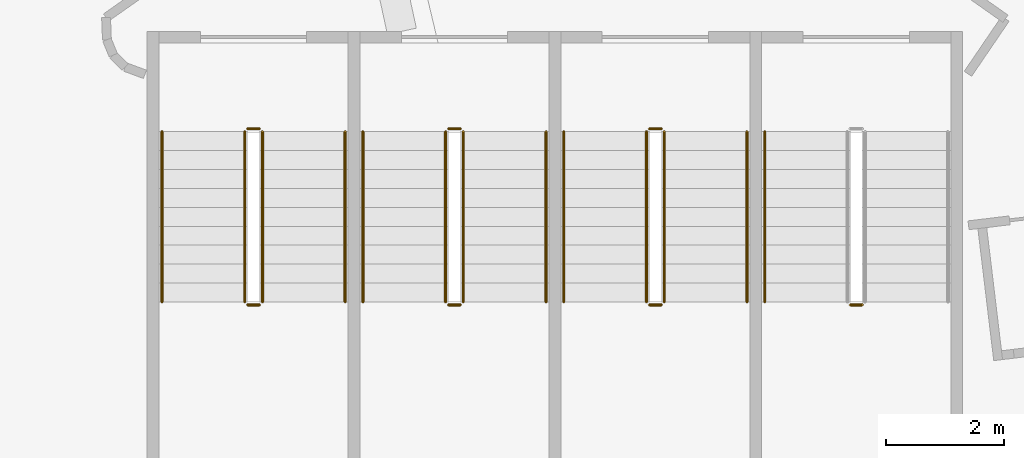
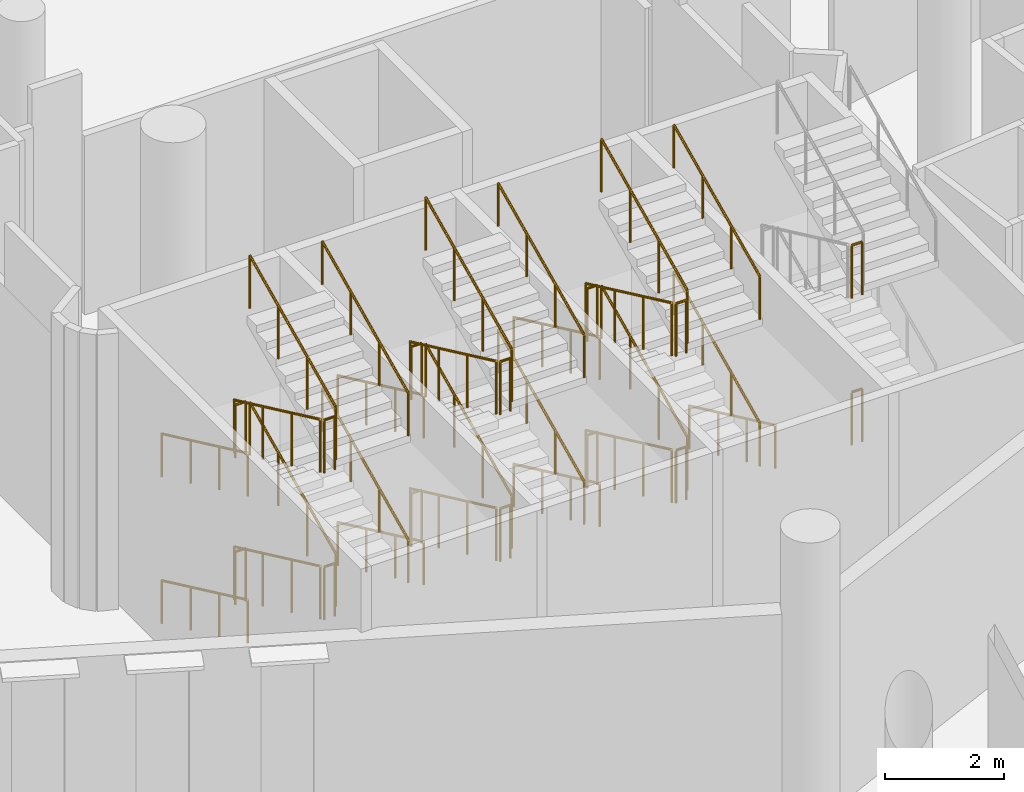
# One storey, part 215 of 249: 39 railings.
"""IFC4 building model written with IfcOpenShell, lengths in metres."""

from ifc_helpers import new_model, si_unit, direction, frame, origin, origin_2d, place, context, subcontext, project, spatial, circle, extrude, material, type_object, element, save


model = new_model("IFC4")

# Units and contexts
model_context = context("Model", 3, precision=1e-05, world=origin(), true_north=direction((0.0, 1.0)))
body_context = subcontext(model_context, "Body", "Model", "MODEL_VIEW")
ifc_project = project(units=[si_unit("LENGTHUNIT", "METRE"), si_unit("AREAUNIT", "SQUARE_METRE"), si_unit("VOLUMEUNIT", "CUBIC_METRE"), si_unit("PLANEANGLEUNIT", "RADIAN"), si_unit("MASSUNIT", "GRAM", prefix="KILO")], contexts=[model_context])

# Site, building, storey
site_placement = place(None, origin())
site = spatial("IfcSite", under=ifc_project, at=site_placement, CompositionType="ELEMENT")
building_placement = place(site_placement, origin())
building = spatial("IfcBuilding", under=site, at=building_placement, Name="Meseta Stadium", CompositionType="ELEMENT")
storey_placement = place(building_placement, frame((0.0, 0.0, 12.0)))
storey = spatial("IfcBuildingStorey", under=building, at=storey_placement, Name="L02", CompositionType="ELEMENT", Elevation=12.0)

# Railings
ifc_material_1 = material(Name="Steel S355", Category="steel")
railing_type_1 = type_object("IfcRailingType", Name="Stair guard 1100", PredefinedType="GUARDRAIL", material=ifc_material_1)
railing_1_placement = place(storey_placement, frame((17.75, -95.199951171875, 0.14990234375)))
element("IfcRailing", 1, at=railing_1_placement, inside=storey, type_object=railing_type_1, Name="ST97 L02 guard 1", PredefinedType="GUARDRAIL", context=body_context, shape_type="SweptSolid", body=[
    extrude(circle(Radius=0.02392578125, at=origin_2d()), frame((0.0, 0.0, 1.076171875), z_axis=(0.0, -0.905454327043, 0.424443708447), x_axis=(1.0, 0.0, 0.0)), (0.0, 0.0, 1.0), 3.180908203125),
    extrude(circle(Radius=0.02099609375, at=origin_2d()), origin(), (0.0, 0.0, 1.0), 1.052001953125),
    extrude(circle(Radius=0.02099609375, at=origin_2d()), frame((0.0, -0.9599609375, 0.449951171875)), (0.0, 0.0, 1.0), 1.052001953125),
    extrude(circle(Radius=0.02099609375, at=origin_2d()), frame((0.0, -1.920166015625, 0.900146484375)), (0.0, 0.0, 1.0), 1.052001953125),
    extrude(circle(Radius=0.02099609375, at=origin_2d()), frame((0.0, -2.880126953125, 1.35009765625)), (0.0, 0.0, 1.0), 1.052001953125),
])
railing_2_placement = place(storey_placement, frame((17.800048828125, -98.1298828125, 1.5)))
element("IfcRailing", 2, at=railing_2_placement, inside=storey, type_object=railing_type_1, Name="ST97 L02 guard 2", PredefinedType="GUARDRAIL", context=body_context, shape_type="SweptSolid", body=[
    extrude(circle(Radius=0.02392578125, at=origin_2d()), frame((0.0, 0.0, 1.076171875), z_axis=(1.0, 0.0, 0.0), x_axis=(0.0, 1.0, 0.0)), (0.0, 0.0, 1.0), 0.199951171875),
    extrude(circle(Radius=0.02099609375, at=origin_2d()), origin(), (0.0, 0.0, 1.0), 1.052001953125),
    extrude(circle(Radius=0.02099609375, at=origin_2d()), frame((0.199951171875, 0.0, 0.0)), (0.0, 0.0, 1.0), 1.052001953125),
])
railing_3_placement = place(storey_placement, frame((18.050048828125, -98.080078125, 1.64990234375)))
element("IfcRailing", 3, at=railing_3_placement, inside=storey, type_object=railing_type_1, Name="ST97 L02 guard 3", PredefinedType="GUARDRAIL", context=body_context, shape_type="SweptSolid", body=[
    extrude(circle(Radius=0.02392578125, at=origin_2d()), frame((0.0, 0.0, 1.076171875), z_axis=(0.0, 0.905454327043, 0.424443708447), x_axis=(-1.0, 0.0, 0.0)), (0.0, 0.0, 1.0), 3.180908203125),
    extrude(circle(Radius=0.02099609375, at=origin_2d()), origin(), (0.0, 0.0, 1.0), 1.052001953125),
    extrude(circle(Radius=0.02099609375, at=origin_2d()), frame((0.0, 0.9599609375, 0.449951171875)), (0.0, 0.0, 1.0), 1.052001953125),
    extrude(circle(Radius=0.02099609375, at=origin_2d()), frame((0.0, 1.920166015625, 0.900146484375)), (0.0, 0.0, 1.0), 1.052001953125),
    extrude(circle(Radius=0.02099609375, at=origin_2d()), frame((0.0, 2.880126953125, 1.35009765625)), (0.0, 0.0, 1.0), 1.052001953125),
])
railing_4_placement = place(storey_placement, frame((17.800048828125, -95.14990234375, 3.0)))
element("IfcRailing", 4, at=railing_4_placement, inside=storey, type_object=railing_type_1, Name="ST97 L02 guard 4", PredefinedType="GUARDRAIL", context=body_context, shape_type="SweptSolid", body=[
    extrude(circle(Radius=0.02392578125, at=origin_2d()), frame((0.0, 0.0, 1.076171875), z_axis=(1.0, 0.0, 0.0), x_axis=(0.0, 1.0, 0.0)), (0.0, 0.0, 1.0), 0.199951171875),
    extrude(circle(Radius=0.02099609375, at=origin_2d()), origin(), (0.0, 0.0, 1.0), 1.052001953125),
    extrude(circle(Radius=0.02099609375, at=origin_2d()), frame((0.199951171875, 0.0, 0.0)), (0.0, 0.0, 1.0), 1.052001953125),
])
railing_5_placement = place(storey_placement, frame((17.75, -95.199951171875, 3.14990234375)))
element("IfcRailing", 5, at=railing_5_placement, inside=storey, type_object=railing_type_1, Name="ST97 L02 guard 5", PredefinedType="GUARDRAIL", context=body_context, shape_type="SweptSolid", body=[
    extrude(circle(Radius=0.02392578125, at=origin_2d()), frame((0.0, 0.0, 1.076171875), z_axis=(0.0, -0.905454327043, 0.424443708447), x_axis=(1.0, 0.0, 0.0)), (0.0, 0.0, 1.0), 3.180908203125),
    extrude(circle(Radius=0.02099609375, at=origin_2d()), origin(), (0.0, 0.0, 1.0), 1.052001953125),
    extrude(circle(Radius=0.02099609375, at=origin_2d()), frame((0.0, -0.9599609375, 0.449951171875)), (0.0, 0.0, 1.0), 1.052001953125),
    extrude(circle(Radius=0.02099609375, at=origin_2d()), frame((0.0, -1.920166015625, 0.900146484375)), (0.0, 0.0, 1.0), 1.052001953125),
    extrude(circle(Radius=0.02099609375, at=origin_2d()), frame((0.0, -2.880126953125, 1.35009765625)), (0.0, 0.0, 1.0), 1.052001953125),
])
railing_6_placement = place(storey_placement, frame((17.800048828125, -98.1298828125, 4.5)))
element("IfcRailing", 6, at=railing_6_placement, inside=storey, type_object=railing_type_1, Name="ST97 L02 guard 6", PredefinedType="GUARDRAIL", context=body_context, shape_type="SweptSolid", body=[
    extrude(circle(Radius=0.02392578125, at=origin_2d()), frame((0.0, 0.0, 1.076171875), z_axis=(1.0, 0.0, 0.0), x_axis=(0.0, 1.0, 0.0)), (0.0, 0.0, 1.0), 0.199951171875),
    extrude(circle(Radius=0.02099609375, at=origin_2d()), origin(), (0.0, 0.0, 1.0), 1.052001953125),
    extrude(circle(Radius=0.02099609375, at=origin_2d()), frame((0.199951171875, 0.0, 0.0)), (0.0, 0.0, 1.0), 1.052001953125),
])
railing_7_placement = place(storey_placement, frame((18.050048828125, -98.080078125, 4.64990234375)))
element("IfcRailing", 7, at=railing_7_placement, inside=storey, type_object=railing_type_1, Name="ST97 L02 guard 7", PredefinedType="GUARDRAIL", context=body_context, shape_type="SweptSolid", body=[
    extrude(circle(Radius=0.02392578125, at=origin_2d()), frame((0.0, 0.0, 1.076171875), z_axis=(0.0, 0.905454327043, 0.424443708447), x_axis=(-1.0, 0.0, 0.0)), (0.0, 0.0, 1.0), 3.180908203125),
    extrude(circle(Radius=0.02099609375, at=origin_2d()), origin(), (0.0, 0.0, 1.0), 1.052001953125),
    extrude(circle(Radius=0.02099609375, at=origin_2d()), frame((0.0, 0.9599609375, 0.449951171875)), (0.0, 0.0, 1.0), 1.052001953125),
    extrude(circle(Radius=0.02099609375, at=origin_2d()), frame((0.0, 1.920166015625, 0.900146484375)), (0.0, 0.0, 1.0), 1.052001953125),
    extrude(circle(Radius=0.02099609375, at=origin_2d()), frame((0.0, 2.880126953125, 1.35009765625)), (0.0, 0.0, 1.0), 1.052001953125),
])
railing_8_placement = place(storey_placement, frame((17.800048828125, -95.14990234375, 0.0)))
element("IfcRailing", 8, at=railing_8_placement, inside=storey, type_object=railing_type_1, Name="ST97 L02 guard 8", PredefinedType="GUARDRAIL", context=body_context, shape_type="SweptSolid", body=[
    extrude(circle(Radius=0.02392578125, at=origin_2d()), frame((0.0, 0.0, 1.076171875), z_axis=(1.0, 0.0, 0.0), x_axis=(0.0, 1.0, 0.0)), (0.0, 0.0, 1.0), 0.199951171875),
    extrude(circle(Radius=0.02099609375, at=origin_2d()), origin(), (0.0, 0.0, 1.0), 1.052001953125),
    extrude(circle(Radius=0.02099609375, at=origin_2d()), frame((0.199951171875, 0.0, 0.0)), (0.0, 0.0, 1.0), 1.052001953125),
])
railing_9_placement = place(storey_placement, frame((21.14990234375, -95.199951171875, 0.14990234375)))
element("IfcRailing", 9, at=railing_9_placement, inside=storey, type_object=railing_type_1, Name="ST98 L02 guard 1", PredefinedType="GUARDRAIL", context=body_context, shape_type="SweptSolid", body=[
    extrude(circle(Radius=0.02392578125, at=origin_2d()), frame((0.0, 0.0, 1.076171875), z_axis=(0.0, -0.905454327043, 0.424443708447), x_axis=(1.0, 0.0, 0.0)), (0.0, 0.0, 1.0), 3.180908203125),
    extrude(circle(Radius=0.02099609375, at=origin_2d()), origin(), (0.0, 0.0, 1.0), 1.052001953125),
    extrude(circle(Radius=0.02099609375, at=origin_2d()), frame((0.0, -0.9599609375, 0.449951171875)), (0.0, 0.0, 1.0), 1.052001953125),
    extrude(circle(Radius=0.02099609375, at=origin_2d()), frame((0.0, -1.920166015625, 0.900146484375)), (0.0, 0.0, 1.0), 1.052001953125),
    extrude(circle(Radius=0.02099609375, at=origin_2d()), frame((0.0, -2.880126953125, 1.35009765625)), (0.0, 0.0, 1.0), 1.052001953125),
])
railing_10_placement = place(storey_placement, frame((21.199951171875, -98.1298828125, 1.5)))
element("IfcRailing", 10, at=railing_10_placement, inside=storey, type_object=railing_type_1, Name="ST98 L02 guard 2", PredefinedType="GUARDRAIL", context=body_context, shape_type="SweptSolid", body=[
    extrude(circle(Radius=0.02392578125, at=origin_2d()), frame((0.0, 0.0, 1.076171875), z_axis=(1.0, 0.0, 0.0), x_axis=(0.0, 1.0, 0.0)), (0.0, 0.0, 1.0), 0.199951171875),
    extrude(circle(Radius=0.02099609375, at=origin_2d()), origin(), (0.0, 0.0, 1.0), 1.052001953125),
    extrude(circle(Radius=0.02099609375, at=origin_2d()), frame((0.199951171875, 0.0, 0.0)), (0.0, 0.0, 1.0), 1.052001953125),
])
railing_11_placement = place(storey_placement, frame((21.449951171875, -98.080078125, 1.64990234375)))
element("IfcRailing", 11, at=railing_11_placement, inside=storey, type_object=railing_type_1, Name="ST98 L02 guard 3", PredefinedType="GUARDRAIL", context=body_context, shape_type="SweptSolid", body=[
    extrude(circle(Radius=0.02392578125, at=origin_2d()), frame((0.0, 0.0, 1.076171875), z_axis=(0.0, 0.905454327043, 0.424443708447), x_axis=(-1.0, 0.0, 0.0)), (0.0, 0.0, 1.0), 3.180908203125),
    extrude(circle(Radius=0.02099609375, at=origin_2d()), origin(), (0.0, 0.0, 1.0), 1.052001953125),
    extrude(circle(Radius=0.02099609375, at=origin_2d()), frame((0.0, 0.9599609375, 0.449951171875)), (0.0, 0.0, 1.0), 1.052001953125),
    extrude(circle(Radius=0.02099609375, at=origin_2d()), frame((0.0, 1.920166015625, 0.900146484375)), (0.0, 0.0, 1.0), 1.052001953125),
    extrude(circle(Radius=0.02099609375, at=origin_2d()), frame((0.0, 2.880126953125, 1.35009765625)), (0.0, 0.0, 1.0), 1.052001953125),
])
railing_12_placement = place(storey_placement, frame((21.199951171875, -95.14990234375, 3.0)))
element("IfcRailing", 12, at=railing_12_placement, inside=storey, type_object=railing_type_1, Name="ST98 L02 guard 4", PredefinedType="GUARDRAIL", context=body_context, shape_type="SweptSolid", body=[
    extrude(circle(Radius=0.02392578125, at=origin_2d()), frame((0.0, 0.0, 1.076171875), z_axis=(1.0, 0.0, 0.0), x_axis=(0.0, 1.0, 0.0)), (0.0, 0.0, 1.0), 0.199951171875),
    extrude(circle(Radius=0.02099609375, at=origin_2d()), origin(), (0.0, 0.0, 1.0), 1.052001953125),
    extrude(circle(Radius=0.02099609375, at=origin_2d()), frame((0.199951171875, 0.0, 0.0)), (0.0, 0.0, 1.0), 1.052001953125),
])
railing_13_placement = place(storey_placement, frame((21.14990234375, -95.199951171875, 3.14990234375)))
element("IfcRailing", 13, at=railing_13_placement, inside=storey, type_object=railing_type_1, Name="ST98 L02 guard 5", PredefinedType="GUARDRAIL", context=body_context, shape_type="SweptSolid", body=[
    extrude(circle(Radius=0.02392578125, at=origin_2d()), frame((0.0, 0.0, 1.076171875), z_axis=(0.0, -0.905454327043, 0.424443708447), x_axis=(1.0, 0.0, 0.0)), (0.0, 0.0, 1.0), 3.180908203125),
    extrude(circle(Radius=0.02099609375, at=origin_2d()), origin(), (0.0, 0.0, 1.0), 1.052001953125),
    extrude(circle(Radius=0.02099609375, at=origin_2d()), frame((0.0, -0.9599609375, 0.449951171875)), (0.0, 0.0, 1.0), 1.052001953125),
    extrude(circle(Radius=0.02099609375, at=origin_2d()), frame((0.0, -1.920166015625, 0.900146484375)), (0.0, 0.0, 1.0), 1.052001953125),
    extrude(circle(Radius=0.02099609375, at=origin_2d()), frame((0.0, -2.880126953125, 1.35009765625)), (0.0, 0.0, 1.0), 1.052001953125),
])
railing_14_placement = place(storey_placement, frame((21.199951171875, -98.1298828125, 4.5)))
element("IfcRailing", 14, at=railing_14_placement, inside=storey, type_object=railing_type_1, Name="ST98 L02 guard 6", PredefinedType="GUARDRAIL", context=body_context, shape_type="SweptSolid", body=[
    extrude(circle(Radius=0.02392578125, at=origin_2d()), frame((0.0, 0.0, 1.076171875), z_axis=(1.0, 0.0, 0.0), x_axis=(0.0, 1.0, 0.0)), (0.0, 0.0, 1.0), 0.199951171875),
    extrude(circle(Radius=0.02099609375, at=origin_2d()), origin(), (0.0, 0.0, 1.0), 1.052001953125),
    extrude(circle(Radius=0.02099609375, at=origin_2d()), frame((0.199951171875, 0.0, 0.0)), (0.0, 0.0, 1.0), 1.052001953125),
])
railing_15_placement = place(storey_placement, frame((21.449951171875, -98.080078125, 4.64990234375)))
element("IfcRailing", 15, at=railing_15_placement, inside=storey, type_object=railing_type_1, Name="ST98 L02 guard 7", PredefinedType="GUARDRAIL", context=body_context, shape_type="SweptSolid", body=[
    extrude(circle(Radius=0.02392578125, at=origin_2d()), frame((0.0, 0.0, 1.076171875), z_axis=(0.0, 0.905454327043, 0.424443708447), x_axis=(-1.0, 0.0, 0.0)), (0.0, 0.0, 1.0), 3.180908203125),
    extrude(circle(Radius=0.02099609375, at=origin_2d()), origin(), (0.0, 0.0, 1.0), 1.052001953125),
    extrude(circle(Radius=0.02099609375, at=origin_2d()), frame((0.0, 0.9599609375, 0.449951171875)), (0.0, 0.0, 1.0), 1.052001953125),
    extrude(circle(Radius=0.02099609375, at=origin_2d()), frame((0.0, 1.920166015625, 0.900146484375)), (0.0, 0.0, 1.0), 1.052001953125),
    extrude(circle(Radius=0.02099609375, at=origin_2d()), frame((0.0, 2.880126953125, 1.35009765625)), (0.0, 0.0, 1.0), 1.052001953125),
])
railing_16_placement = place(storey_placement, frame((21.199951171875, -95.14990234375, 0.0)))
element("IfcRailing", 16, at=railing_16_placement, inside=storey, type_object=railing_type_1, Name="ST98 L02 guard 8", PredefinedType="GUARDRAIL", context=body_context, shape_type="SweptSolid", body=[
    extrude(circle(Radius=0.02392578125, at=origin_2d()), frame((0.0, 0.0, 1.076171875), z_axis=(1.0, 0.0, 0.0), x_axis=(0.0, 1.0, 0.0)), (0.0, 0.0, 1.0), 0.199951171875),
    extrude(circle(Radius=0.02099609375, at=origin_2d()), origin(), (0.0, 0.0, 1.0), 1.052001953125),
    extrude(circle(Radius=0.02099609375, at=origin_2d()), frame((0.199951171875, 0.0, 0.0)), (0.0, 0.0, 1.0), 1.052001953125),
])
railing_17_placement = place(storey_placement, frame((24.550048828125, -95.199951171875, 0.14990234375)))
element("IfcRailing", 17, at=railing_17_placement, inside=storey, type_object=railing_type_1, Name="ST99 L02 guard 1", PredefinedType="GUARDRAIL", context=body_context, shape_type="SweptSolid", body=[
    extrude(circle(Radius=0.02392578125, at=origin_2d()), frame((0.0, 0.0, 1.076171875), z_axis=(0.0, -0.905454327043, 0.424443708447), x_axis=(1.0, 0.0, 0.0)), (0.0, 0.0, 1.0), 3.180908203125),
    extrude(circle(Radius=0.02099609375, at=origin_2d()), origin(), (0.0, 0.0, 1.0), 1.052001953125),
    extrude(circle(Radius=0.02099609375, at=origin_2d()), frame((0.0, -0.9599609375, 0.449951171875)), (0.0, 0.0, 1.0), 1.052001953125),
    extrude(circle(Radius=0.02099609375, at=origin_2d()), frame((0.0, -1.920166015625, 0.900146484375)), (0.0, 0.0, 1.0), 1.052001953125),
    extrude(circle(Radius=0.02099609375, at=origin_2d()), frame((0.0, -2.880126953125, 1.35009765625)), (0.0, 0.0, 1.0), 1.052001953125),
])
railing_18_placement = place(storey_placement, frame((24.60009765625, -98.1298828125, 1.5)))
element("IfcRailing", 18, at=railing_18_placement, inside=storey, type_object=railing_type_1, Name="ST99 L02 guard 2", PredefinedType="GUARDRAIL", context=body_context, shape_type="SweptSolid", body=[
    extrude(circle(Radius=0.02392578125, at=origin_2d()), frame((0.0, 0.0, 1.076171875), z_axis=(1.0, 0.0, 0.0), x_axis=(0.0, 1.0, 0.0)), (0.0, 0.0, 1.0), 0.199951171875),
    extrude(circle(Radius=0.02099609375, at=origin_2d()), origin(), (0.0, 0.0, 1.0), 1.052001953125),
    extrude(circle(Radius=0.02099609375, at=origin_2d()), frame((0.199951171875, 0.0, 0.0)), (0.0, 0.0, 1.0), 1.052001953125),
])
railing_19_placement = place(storey_placement, frame((24.85009765625, -98.080078125, 1.64990234375)))
element("IfcRailing", 19, at=railing_19_placement, inside=storey, type_object=railing_type_1, Name="ST99 L02 guard 3", PredefinedType="GUARDRAIL", context=body_context, shape_type="SweptSolid", body=[
    extrude(circle(Radius=0.02392578125, at=origin_2d()), frame((0.0, 0.0, 1.076171875), z_axis=(0.0, 0.905454327043, 0.424443708447), x_axis=(-1.0, 0.0, 0.0)), (0.0, 0.0, 1.0), 3.180908203125),
    extrude(circle(Radius=0.02099609375, at=origin_2d()), origin(), (0.0, 0.0, 1.0), 1.052001953125),
    extrude(circle(Radius=0.02099609375, at=origin_2d()), frame((0.0, 0.9599609375, 0.449951171875)), (0.0, 0.0, 1.0), 1.052001953125),
    extrude(circle(Radius=0.02099609375, at=origin_2d()), frame((0.0, 1.920166015625, 0.900146484375)), (0.0, 0.0, 1.0), 1.052001953125),
    extrude(circle(Radius=0.02099609375, at=origin_2d()), frame((0.0, 2.880126953125, 1.35009765625)), (0.0, 0.0, 1.0), 1.052001953125),
])
railing_20_placement = place(storey_placement, frame((24.60009765625, -95.14990234375, 3.0)))
element("IfcRailing", 20, at=railing_20_placement, inside=storey, type_object=railing_type_1, Name="ST99 L02 guard 4", PredefinedType="GUARDRAIL", context=body_context, shape_type="SweptSolid", body=[
    extrude(circle(Radius=0.02392578125, at=origin_2d()), frame((0.0, 0.0, 1.076171875), z_axis=(1.0, 0.0, 0.0), x_axis=(0.0, 1.0, 0.0)), (0.0, 0.0, 1.0), 0.199951171875),
    extrude(circle(Radius=0.02099609375, at=origin_2d()), origin(), (0.0, 0.0, 1.0), 1.052001953125),
    extrude(circle(Radius=0.02099609375, at=origin_2d()), frame((0.199951171875, 0.0, 0.0)), (0.0, 0.0, 1.0), 1.052001953125),
])
railing_21_placement = place(storey_placement, frame((24.550048828125, -95.199951171875, 3.14990234375)))
element("IfcRailing", 21, at=railing_21_placement, inside=storey, type_object=railing_type_1, Name="ST99 L02 guard 5", PredefinedType="GUARDRAIL", context=body_context, shape_type="SweptSolid", body=[
    extrude(circle(Radius=0.02392578125, at=origin_2d()), frame((0.0, 0.0, 1.076171875), z_axis=(0.0, -0.905454327043, 0.424443708447), x_axis=(1.0, 0.0, 0.0)), (0.0, 0.0, 1.0), 3.180908203125),
    extrude(circle(Radius=0.02099609375, at=origin_2d()), origin(), (0.0, 0.0, 1.0), 1.052001953125),
    extrude(circle(Radius=0.02099609375, at=origin_2d()), frame((0.0, -0.9599609375, 0.449951171875)), (0.0, 0.0, 1.0), 1.052001953125),
    extrude(circle(Radius=0.02099609375, at=origin_2d()), frame((0.0, -1.920166015625, 0.900146484375)), (0.0, 0.0, 1.0), 1.052001953125),
    extrude(circle(Radius=0.02099609375, at=origin_2d()), frame((0.0, -2.880126953125, 1.35009765625)), (0.0, 0.0, 1.0), 1.052001953125),
])
railing_22_placement = place(storey_placement, frame((24.60009765625, -98.1298828125, 4.5)))
element("IfcRailing", 22, at=railing_22_placement, inside=storey, type_object=railing_type_1, Name="ST99 L02 guard 6", PredefinedType="GUARDRAIL", context=body_context, shape_type="SweptSolid", body=[
    extrude(circle(Radius=0.02392578125, at=origin_2d()), frame((0.0, 0.0, 1.076171875), z_axis=(1.0, 0.0, 0.0), x_axis=(0.0, 1.0, 0.0)), (0.0, 0.0, 1.0), 0.199951171875),
    extrude(circle(Radius=0.02099609375, at=origin_2d()), origin(), (0.0, 0.0, 1.0), 1.052001953125),
    extrude(circle(Radius=0.02099609375, at=origin_2d()), frame((0.199951171875, 0.0, 0.0)), (0.0, 0.0, 1.0), 1.052001953125),
])
railing_23_placement = place(storey_placement, frame((24.85009765625, -98.080078125, 4.64990234375)))
element("IfcRailing", 23, at=railing_23_placement, inside=storey, type_object=railing_type_1, Name="ST99 L02 guard 7", PredefinedType="GUARDRAIL", context=body_context, shape_type="SweptSolid", body=[
    extrude(circle(Radius=0.02392578125, at=origin_2d()), frame((0.0, 0.0, 1.076171875), z_axis=(0.0, 0.905454327043, 0.424443708447), x_axis=(-1.0, 0.0, 0.0)), (0.0, 0.0, 1.0), 3.180908203125),
    extrude(circle(Radius=0.02099609375, at=origin_2d()), origin(), (0.0, 0.0, 1.0), 1.052001953125),
    extrude(circle(Radius=0.02099609375, at=origin_2d()), frame((0.0, 0.9599609375, 0.449951171875)), (0.0, 0.0, 1.0), 1.052001953125),
    extrude(circle(Radius=0.02099609375, at=origin_2d()), frame((0.0, 1.920166015625, 0.900146484375)), (0.0, 0.0, 1.0), 1.052001953125),
    extrude(circle(Radius=0.02099609375, at=origin_2d()), frame((0.0, 2.880126953125, 1.35009765625)), (0.0, 0.0, 1.0), 1.052001953125),
])
for number, where, name in (
    (24, (24.60009765625, -95.14990234375, 0.0), "ST99 L02 guard 8"),
    (25, (28.0, -98.1298828125, 1.5), "ST100 L02 guard 2"),
    (26, (28.0, -98.1298828125, 4.5), "ST100 L02 guard 6"),
):
    element("IfcRailing", number, at=place(storey_placement, frame(where)), inside=storey, type_object=railing_type_1, Name=name, PredefinedType="GUARDRAIL", context=body_context, shape_type="SweptSolid", body=[
        extrude(circle(Radius=0.02392578125, at=origin_2d()), frame((0.0, 0.0, 1.076171875), z_axis=(1.0, 0.0, 0.0), x_axis=(0.0, 1.0, 0.0)), (0.0, 0.0, 1.0), 0.199951171875),
        extrude(circle(Radius=0.02099609375, at=origin_2d()), origin(), (0.0, 0.0, 1.0), 1.052001953125),
        extrude(circle(Radius=0.02099609375, at=origin_2d()), frame((0.199951171875, 0.0, 0.0)), (0.0, 0.0, 1.0), 1.052001953125),
    ])
ifc_material_2 = material(Name="Steel S355", Category="steel")
railing_type_2 = type_object("IfcRailingType", Name="Stair handrail 900", PredefinedType="HANDRAIL", material=ifc_material_2)
railing_24_placement = place(storey_placement, frame((16.35009765625, -95.199951171875, 0.14990234375)))
element("IfcRailing", 27, at=railing_24_placement, inside=storey, type_object=railing_type_2, Name="ST97 L02 handrail 1", PredefinedType="HANDRAIL", context=body_context, shape_type="SweptSolid", body=[
    extrude(circle(Radius=0.02392578125, at=origin_2d()), frame((0.0, 0.0, 0.8759765625), z_axis=(0.0, -0.905454327043, 0.424443708447), x_axis=(1.0, 0.0, 0.0)), (0.0, 0.0, 1.0), 3.180908203125),
    extrude(circle(Radius=0.02099609375, at=origin_2d()), origin(), (0.0, 0.0, 1.0), 0.851806640625),
    extrude(circle(Radius=0.02099609375, at=origin_2d()), frame((0.0, -0.9599609375, 0.449951171875)), (0.0, 0.0, 1.0), 0.851806640625),
    extrude(circle(Radius=0.02099609375, at=origin_2d()), frame((0.0, -1.920166015625, 0.900146484375)), (0.0, 0.0, 1.0), 0.851806640625),
    extrude(circle(Radius=0.02099609375, at=origin_2d()), frame((0.0, -2.880126953125, 1.35009765625)), (0.0, 0.0, 1.0), 0.851806640625),
])
railing_25_placement = place(storey_placement, frame((19.449951171875, -98.080078125, 1.64990234375)))
element("IfcRailing", 28, at=railing_25_placement, inside=storey, type_object=railing_type_2, Name="ST97 L02 handrail 2", PredefinedType="HANDRAIL", context=body_context, shape_type="SweptSolid", body=[
    extrude(circle(Radius=0.02392578125, at=origin_2d()), frame((0.0, 0.0, 0.8759765625), z_axis=(0.0, 0.905454327043, 0.424443708447), x_axis=(-1.0, 0.0, 0.0)), (0.0, 0.0, 1.0), 3.180908203125),
    extrude(circle(Radius=0.02099609375, at=origin_2d()), origin(), (0.0, 0.0, 1.0), 0.851806640625),
    extrude(circle(Radius=0.02099609375, at=origin_2d()), frame((0.0, 0.9599609375, 0.449951171875)), (0.0, 0.0, 1.0), 0.851806640625),
    extrude(circle(Radius=0.02099609375, at=origin_2d()), frame((0.0, 1.920166015625, 0.900146484375)), (0.0, 0.0, 1.0), 0.851806640625),
    extrude(circle(Radius=0.02099609375, at=origin_2d()), frame((0.0, 2.880126953125, 1.35009765625)), (0.0, 0.0, 1.0), 0.851806640625),
])
railing_26_placement = place(storey_placement, frame((16.35009765625, -95.199951171875, 3.14990234375)))
element("IfcRailing", 29, at=railing_26_placement, inside=storey, type_object=railing_type_2, Name="ST97 L02 handrail 3", PredefinedType="HANDRAIL", context=body_context, shape_type="SweptSolid", body=[
    extrude(circle(Radius=0.02392578125, at=origin_2d()), frame((0.0, 0.0, 0.8759765625), z_axis=(0.0, -0.905454327043, 0.424443708447), x_axis=(1.0, 0.0, 0.0)), (0.0, 0.0, 1.0), 3.180908203125),
    extrude(circle(Radius=0.02099609375, at=origin_2d()), origin(), (0.0, 0.0, 1.0), 0.851806640625),
    extrude(circle(Radius=0.02099609375, at=origin_2d()), frame((0.0, -0.9599609375, 0.449951171875)), (0.0, 0.0, 1.0), 0.851806640625),
    extrude(circle(Radius=0.02099609375, at=origin_2d()), frame((0.0, -1.920166015625, 0.900146484375)), (0.0, 0.0, 1.0), 0.851806640625),
    extrude(circle(Radius=0.02099609375, at=origin_2d()), frame((0.0, -2.880126953125, 1.35009765625)), (0.0, 0.0, 1.0), 0.851806640625),
])
railing_27_placement = place(storey_placement, frame((19.449951171875, -98.080078125, 4.64990234375)))
element("IfcRailing", 30, at=railing_27_placement, inside=storey, type_object=railing_type_2, Name="ST97 L02 handrail 4", PredefinedType="HANDRAIL", context=body_context, shape_type="SweptSolid", body=[
    extrude(circle(Radius=0.02392578125, at=origin_2d()), frame((0.0, 0.0, 0.8759765625), z_axis=(0.0, 0.905454327043, 0.424443708447), x_axis=(-1.0, 0.0, 0.0)), (0.0, 0.0, 1.0), 3.180908203125),
    extrude(circle(Radius=0.02099609375, at=origin_2d()), origin(), (0.0, 0.0, 1.0), 0.851806640625),
    extrude(circle(Radius=0.02099609375, at=origin_2d()), frame((0.0, 0.9599609375, 0.449951171875)), (0.0, 0.0, 1.0), 0.851806640625),
    extrude(circle(Radius=0.02099609375, at=origin_2d()), frame((0.0, 1.920166015625, 0.900146484375)), (0.0, 0.0, 1.0), 0.851806640625),
    extrude(circle(Radius=0.02099609375, at=origin_2d()), frame((0.0, 2.880126953125, 1.35009765625)), (0.0, 0.0, 1.0), 0.851806640625),
])
railing_28_placement = place(storey_placement, frame((19.75, -95.199951171875, 0.14990234375)))
element("IfcRailing", 31, at=railing_28_placement, inside=storey, type_object=railing_type_2, Name="ST98 L02 handrail 1", PredefinedType="HANDRAIL", context=body_context, shape_type="SweptSolid", body=[
    extrude(circle(Radius=0.02392578125, at=origin_2d()), frame((0.0, 0.0, 0.8759765625), z_axis=(0.0, -0.905454327043, 0.424443708447), x_axis=(1.0, 0.0, 0.0)), (0.0, 0.0, 1.0), 3.180908203125),
    extrude(circle(Radius=0.02099609375, at=origin_2d()), origin(), (0.0, 0.0, 1.0), 0.851806640625),
    extrude(circle(Radius=0.02099609375, at=origin_2d()), frame((0.0, -0.9599609375, 0.449951171875)), (0.0, 0.0, 1.0), 0.851806640625),
    extrude(circle(Radius=0.02099609375, at=origin_2d()), frame((0.0, -1.920166015625, 0.900146484375)), (0.0, 0.0, 1.0), 0.851806640625),
    extrude(circle(Radius=0.02099609375, at=origin_2d()), frame((0.0, -2.880126953125, 1.35009765625)), (0.0, 0.0, 1.0), 0.851806640625),
])
railing_29_placement = place(storey_placement, frame((22.85009765625, -98.080078125, 1.64990234375)))
element("IfcRailing", 32, at=railing_29_placement, inside=storey, type_object=railing_type_2, Name="ST98 L02 handrail 2", PredefinedType="HANDRAIL", context=body_context, shape_type="SweptSolid", body=[
    extrude(circle(Radius=0.02392578125, at=origin_2d()), frame((0.0, 0.0, 0.8759765625), z_axis=(0.0, 0.905454327043, 0.424443708447), x_axis=(-1.0, 0.0, 0.0)), (0.0, 0.0, 1.0), 3.180908203125),
    extrude(circle(Radius=0.02099609375, at=origin_2d()), origin(), (0.0, 0.0, 1.0), 0.851806640625),
    extrude(circle(Radius=0.02099609375, at=origin_2d()), frame((0.0, 0.9599609375, 0.449951171875)), (0.0, 0.0, 1.0), 0.851806640625),
    extrude(circle(Radius=0.02099609375, at=origin_2d()), frame((0.0, 1.920166015625, 0.900146484375)), (0.0, 0.0, 1.0), 0.851806640625),
    extrude(circle(Radius=0.02099609375, at=origin_2d()), frame((0.0, 2.880126953125, 1.35009765625)), (0.0, 0.0, 1.0), 0.851806640625),
])
railing_30_placement = place(storey_placement, frame((19.75, -95.199951171875, 3.14990234375)))
element("IfcRailing", 33, at=railing_30_placement, inside=storey, type_object=railing_type_2, Name="ST98 L02 handrail 3", PredefinedType="HANDRAIL", context=body_context, shape_type="SweptSolid", body=[
    extrude(circle(Radius=0.02392578125, at=origin_2d()), frame((0.0, 0.0, 0.8759765625), z_axis=(0.0, -0.905454327043, 0.424443708447), x_axis=(1.0, 0.0, 0.0)), (0.0, 0.0, 1.0), 3.180908203125),
    extrude(circle(Radius=0.02099609375, at=origin_2d()), origin(), (0.0, 0.0, 1.0), 0.851806640625),
    extrude(circle(Radius=0.02099609375, at=origin_2d()), frame((0.0, -0.9599609375, 0.449951171875)), (0.0, 0.0, 1.0), 0.851806640625),
    extrude(circle(Radius=0.02099609375, at=origin_2d()), frame((0.0, -1.920166015625, 0.900146484375)), (0.0, 0.0, 1.0), 0.851806640625),
    extrude(circle(Radius=0.02099609375, at=origin_2d()), frame((0.0, -2.880126953125, 1.35009765625)), (0.0, 0.0, 1.0), 0.851806640625),
])
railing_31_placement = place(storey_placement, frame((22.85009765625, -98.080078125, 4.64990234375)))
element("IfcRailing", 34, at=railing_31_placement, inside=storey, type_object=railing_type_2, Name="ST98 L02 handrail 4", PredefinedType="HANDRAIL", context=body_context, shape_type="SweptSolid", body=[
    extrude(circle(Radius=0.02392578125, at=origin_2d()), frame((0.0, 0.0, 0.8759765625), z_axis=(0.0, 0.905454327043, 0.424443708447), x_axis=(-1.0, 0.0, 0.0)), (0.0, 0.0, 1.0), 3.180908203125),
    extrude(circle(Radius=0.02099609375, at=origin_2d()), origin(), (0.0, 0.0, 1.0), 0.851806640625),
    extrude(circle(Radius=0.02099609375, at=origin_2d()), frame((0.0, 0.9599609375, 0.449951171875)), (0.0, 0.0, 1.0), 0.851806640625),
    extrude(circle(Radius=0.02099609375, at=origin_2d()), frame((0.0, 1.920166015625, 0.900146484375)), (0.0, 0.0, 1.0), 0.851806640625),
    extrude(circle(Radius=0.02099609375, at=origin_2d()), frame((0.0, 2.880126953125, 1.35009765625)), (0.0, 0.0, 1.0), 0.851806640625),
])
railing_32_placement = place(storey_placement, frame((23.14990234375, -95.199951171875, 0.14990234375)))
element("IfcRailing", 35, at=railing_32_placement, inside=storey, type_object=railing_type_2, Name="ST99 L02 handrail 1", PredefinedType="HANDRAIL", context=body_context, shape_type="SweptSolid", body=[
    extrude(circle(Radius=0.02392578125, at=origin_2d()), frame((0.0, 0.0, 0.8759765625), z_axis=(0.0, -0.905454327043, 0.424443708447), x_axis=(1.0, 0.0, 0.0)), (0.0, 0.0, 1.0), 3.180908203125),
    extrude(circle(Radius=0.02099609375, at=origin_2d()), origin(), (0.0, 0.0, 1.0), 0.851806640625),
    extrude(circle(Radius=0.02099609375, at=origin_2d()), frame((0.0, -0.9599609375, 0.449951171875)), (0.0, 0.0, 1.0), 0.851806640625),
    extrude(circle(Radius=0.02099609375, at=origin_2d()), frame((0.0, -1.920166015625, 0.900146484375)), (0.0, 0.0, 1.0), 0.851806640625),
    extrude(circle(Radius=0.02099609375, at=origin_2d()), frame((0.0, -2.880126953125, 1.35009765625)), (0.0, 0.0, 1.0), 0.851806640625),
])
railing_33_placement = place(storey_placement, frame((26.25, -98.080078125, 1.64990234375)))
element("IfcRailing", 36, at=railing_33_placement, inside=storey, type_object=railing_type_2, Name="ST99 L02 handrail 2", PredefinedType="HANDRAIL", context=body_context, shape_type="SweptSolid", body=[
    extrude(circle(Radius=0.02392578125, at=origin_2d()), frame((0.0, 0.0, 0.8759765625), z_axis=(0.0, 0.905454327043, 0.424443708447), x_axis=(-1.0, 0.0, 0.0)), (0.0, 0.0, 1.0), 3.180908203125),
    extrude(circle(Radius=0.02099609375, at=origin_2d()), origin(), (0.0, 0.0, 1.0), 0.851806640625),
    extrude(circle(Radius=0.02099609375, at=origin_2d()), frame((0.0, 0.9599609375, 0.449951171875)), (0.0, 0.0, 1.0), 0.851806640625),
    extrude(circle(Radius=0.02099609375, at=origin_2d()), frame((0.0, 1.920166015625, 0.900146484375)), (0.0, 0.0, 1.0), 0.851806640625),
    extrude(circle(Radius=0.02099609375, at=origin_2d()), frame((0.0, 2.880126953125, 1.35009765625)), (0.0, 0.0, 1.0), 0.851806640625),
])
railing_34_placement = place(storey_placement, frame((23.14990234375, -95.199951171875, 3.14990234375)))
element("IfcRailing", 37, at=railing_34_placement, inside=storey, type_object=railing_type_2, Name="ST99 L02 handrail 3", PredefinedType="HANDRAIL", context=body_context, shape_type="SweptSolid", body=[
    extrude(circle(Radius=0.02392578125, at=origin_2d()), frame((0.0, 0.0, 0.8759765625), z_axis=(0.0, -0.905454327043, 0.424443708447), x_axis=(1.0, 0.0, 0.0)), (0.0, 0.0, 1.0), 3.180908203125),
    extrude(circle(Radius=0.02099609375, at=origin_2d()), origin(), (0.0, 0.0, 1.0), 0.851806640625),
    extrude(circle(Radius=0.02099609375, at=origin_2d()), frame((0.0, -0.9599609375, 0.449951171875)), (0.0, 0.0, 1.0), 0.851806640625),
    extrude(circle(Radius=0.02099609375, at=origin_2d()), frame((0.0, -1.920166015625, 0.900146484375)), (0.0, 0.0, 1.0), 0.851806640625),
    extrude(circle(Radius=0.02099609375, at=origin_2d()), frame((0.0, -2.880126953125, 1.35009765625)), (0.0, 0.0, 1.0), 0.851806640625),
])
railing_35_placement = place(storey_placement, frame((26.25, -98.080078125, 4.64990234375)))
element("IfcRailing", 38, at=railing_35_placement, inside=storey, type_object=railing_type_2, Name="ST99 L02 handrail 4", PredefinedType="HANDRAIL", context=body_context, shape_type="SweptSolid", body=[
    extrude(circle(Radius=0.02392578125, at=origin_2d()), frame((0.0, 0.0, 0.8759765625), z_axis=(0.0, 0.905454327043, 0.424443708447), x_axis=(-1.0, 0.0, 0.0)), (0.0, 0.0, 1.0), 3.180908203125),
    extrude(circle(Radius=0.02099609375, at=origin_2d()), origin(), (0.0, 0.0, 1.0), 0.851806640625),
    extrude(circle(Radius=0.02099609375, at=origin_2d()), frame((0.0, 0.9599609375, 0.449951171875)), (0.0, 0.0, 1.0), 0.851806640625),
    extrude(circle(Radius=0.02099609375, at=origin_2d()), frame((0.0, 1.920166015625, 0.900146484375)), (0.0, 0.0, 1.0), 0.851806640625),
    extrude(circle(Radius=0.02099609375, at=origin_2d()), frame((0.0, 2.880126953125, 1.35009765625)), (0.0, 0.0, 1.0), 0.851806640625),
])
railing_36_placement = place(storey_placement, frame((26.550048828125, -95.199951171875, 0.14990234375)))
element("IfcRailing", 39, at=railing_36_placement, inside=storey, type_object=railing_type_2, Name="ST100 L02 handrail 1", PredefinedType="HANDRAIL", context=body_context, shape_type="SweptSolid", body=[
    extrude(circle(Radius=0.02392578125, at=origin_2d()), frame((0.0, 0.0, 0.8759765625), z_axis=(0.0, -0.905454327043, 0.424443708447), x_axis=(1.0, 0.0, 0.0)), (0.0, 0.0, 1.0), 3.180908203125),
    extrude(circle(Radius=0.02099609375, at=origin_2d()), origin(), (0.0, 0.0, 1.0), 0.851806640625),
    extrude(circle(Radius=0.02099609375, at=origin_2d()), frame((0.0, -0.9599609375, 0.449951171875)), (0.0, 0.0, 1.0), 0.851806640625),
    extrude(circle(Radius=0.02099609375, at=origin_2d()), frame((0.0, -1.920166015625, 0.900146484375)), (0.0, 0.0, 1.0), 0.851806640625),
    extrude(circle(Radius=0.02099609375, at=origin_2d()), frame((0.0, -2.880126953125, 1.35009765625)), (0.0, 0.0, 1.0), 0.851806640625),
])

save(model, "model.ifc")
